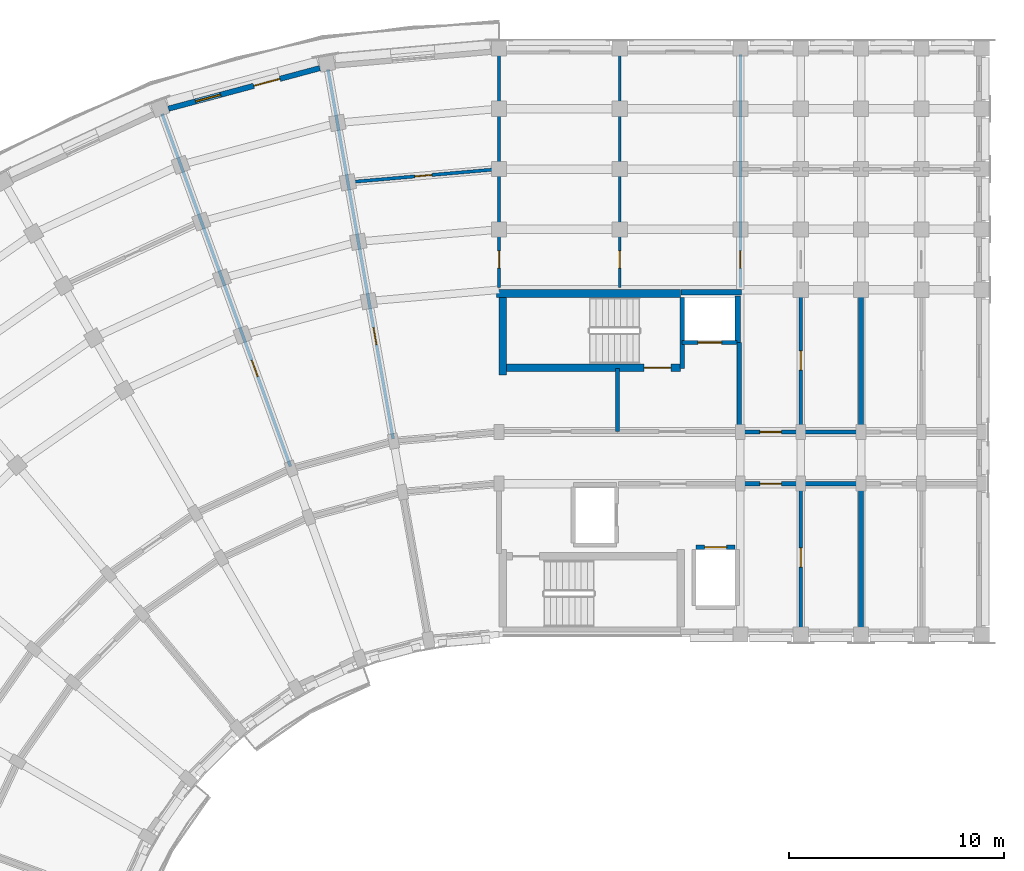
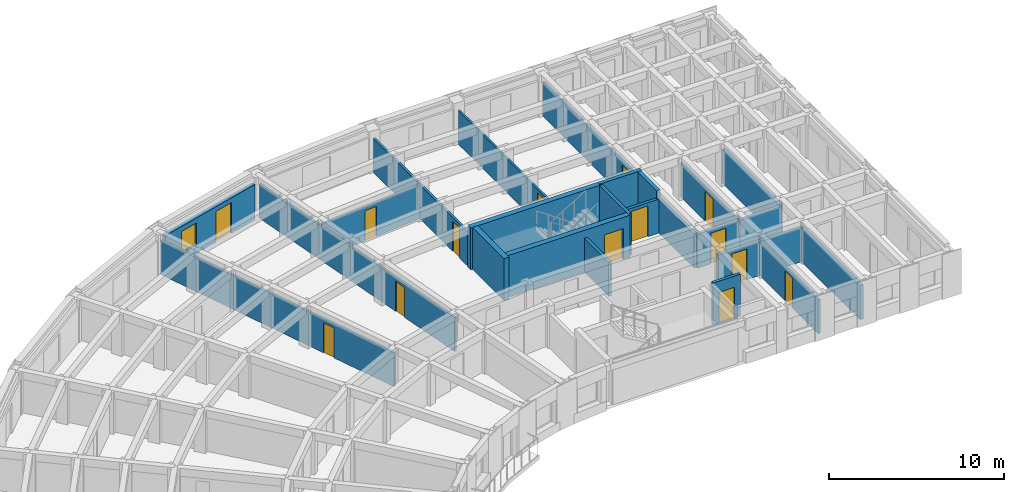
# One storey, part 28 of 57: 25 walls, 14 doors, 1 window, 15 openings.
"""IFC4 building model written with IfcOpenShell, lengths in metres."""

from ifc_helpers import new_model, si_unit, direction, frame, frame_2d, origin, place, context, subcontext, project, spatial, rectangle, extrude, material, layer, layer_set, type_object, element, fill, save


model = new_model("IFC4")

# Units and contexts
model_context = context("Model", 3, precision=1e-05, world=origin(), true_north=direction((0.0, 1.0)))
body_context = subcontext(model_context, "Body", "Model", "MODEL_VIEW")
ifc_project = project(units=[si_unit("LENGTHUNIT", "METRE"), si_unit("AREAUNIT", "SQUARE_METRE"), si_unit("VOLUMEUNIT", "CUBIC_METRE"), si_unit("PLANEANGLEUNIT", "RADIAN"), si_unit("MASSUNIT", "GRAM", prefix="KILO")], contexts=[model_context])

# Site, building, storey
site_placement = place(None, origin())
site = spatial("IfcSite", under=ifc_project, at=site_placement, CompositionType="ELEMENT")
building_placement = place(site_placement, origin())
building = spatial("IfcBuilding", under=site, at=building_placement, Name="Kiranvali Square Residences", CompositionType="ELEMENT")
storey_placement = place(building_placement, frame((0.0, 0.0, 21.300048828125)))
storey = spatial("IfcBuildingStorey", under=building, at=storey_placement, Name="L06", CompositionType="ELEMENT", Elevation=21.300048828125)

# Wall, opening, door
ifc_material_1 = material(Name="Autoclaved aerated concrete blockwork masonry", Category="masonry")
ifc_layer_1 = layer(ifc_material_1, 0.199951171875)
ifc_layer_set_1 = layer_set([ifc_layer_1], Name="Autoclaved aerated concrete blockwork masonry")
wall_type_1 = type_object("IfcWallType", Name="WL-COR-200", PredefinedType="STANDARD", material=ifc_layer_set_1)
wall_1_placement = place(storey_placement, frame((59.39990234375, 113.60009765625, 0.0), z_axis=(0.0, 0.0, 1.0), x_axis=(1.0, 0.0, 0.0)))
wall_1 = element("IfcWall", 1, at=wall_1_placement, inside=storey, type_object=wall_type_1, Name="L06 architectural wall WL-L06-A-A1CI-0", PredefinedType="STANDARD", context=body_context, shape_type="SweptSolid", body=[
    extrude(rectangle(XDim=2.800048828125, YDim=0.199951171875, at=frame_2d((1.39990234375, 0.0))), origin(), (0.0, 0.0, 1.0), 2.3720703125),
])
opening_1_placement = place(wall_1_placement, frame((0.89990234375, 0.0, 0.0)))
opening_1 = element("IfcOpeningElement", 2, at=opening_1_placement, cuts=wall_1, Name="Opening FD-APT-60", PredefinedType="OPENING", context=body_context, shape_type="SweptSolid", body=[
    extrude(rectangle(XDim=1.0, YDim=2.14990234375, at=frame_2d((0.5, 1.074951171875))), frame((0.0, 0.10986328125, 0.0), z_axis=(0.0, -1.0, 0.0), x_axis=(1.0, 0.0, 0.0)), (0.0, 0.0, 1.0), 0.219970703125),
])
ifc_material_2 = material(Name="Fire-rated acoustic hardwood and mineral-core door assembly", Category="wood")
door_type_1 = type_object("IfcDoorType", Name="DR-APT-1000", OperationType="NOTDEFINED", PredefinedType="DOOR", material=ifc_material_2)
door_1_placement = place(opening_1_placement, origin())
door_1 = element("IfcDoor", 3, at=door_1_placement, inside=storey, type_object=door_type_1, Name="L06 door DR-L06-0407 (DR-APT-1000)", OperationType="SINGLE_SWING_LEFT", OverallHeight=2.14990234375, OverallWidth=1.0, PredefinedType="DOOR", context=body_context, shape_type="SweptSolid", body=[
    extrude(rectangle(XDim=1.0, YDim=2.14990234375, at=frame_2d((0.5, 1.074951171875))), frame((0.0, 0.02490234375, 0.0), z_axis=(0.0, -1.0, 0.0), x_axis=(1.0, 0.0, 0.0)), (0.0, 0.0, 1.0), 0.050048828125),
])
fill(opening_1, door_1)

wall_2_placement = place(storey_placement, frame((59.39990234375, 116.0, 0.0), z_axis=(0.0, 0.0, 1.0), x_axis=(1.0, 0.0, 0.0)))
wall_2 = element("IfcWall", 4, at=wall_2_placement, inside=storey, type_object=wall_type_1, Name="L06 architectural wall WL-L06-A-A1CO-0", PredefinedType="STANDARD", context=body_context, shape_type="SweptSolid", body=[
    extrude(rectangle(XDim=2.800048828125, YDim=0.199951171875, at=frame_2d((1.39990234375, 0.0))), origin(), (0.0, 0.0, 1.0), 2.3720703125),
])
opening_2_placement = place(wall_2_placement, frame((0.89990234375, 0.0, 0.0)))
opening_2 = element("IfcOpeningElement", 5, at=opening_2_placement, cuts=wall_2, Name="Opening FD-APT-60", PredefinedType="OPENING", context=body_context, shape_type="SweptSolid", body=[
    extrude(rectangle(XDim=1.0, YDim=2.14990234375, at=frame_2d((0.5, 1.074951171875))), frame((0.0, 0.10986328125, 0.0), z_axis=(0.0, -1.0, 0.0), x_axis=(1.0, 0.0, 0.0)), (0.0, 0.0, 1.0), 0.219970703125),
])
door_2_placement = place(opening_2_placement, origin())
door_2 = element("IfcDoor", 6, at=door_2_placement, inside=storey, type_object=door_type_1, Name="L06 door DR-L06-0409 (DR-APT-1000)", OperationType="SINGLE_SWING_LEFT", OverallHeight=2.14990234375, OverallWidth=1.0, PredefinedType="DOOR", context=body_context, shape_type="SweptSolid", body=[
    extrude(rectangle(XDim=1.0, YDim=2.14990234375, at=frame_2d((0.5, 1.074951171875))), frame((0.0, 0.02490234375, 0.0), z_axis=(0.0, -1.0, 0.0), x_axis=(1.0, 0.0, 0.0)), (0.0, 0.0, 1.0), 0.050048828125),
])
fill(opening_2, door_2)

# Walls
for number, where, z_axis, x_axis, name in (
    (7, (62.199951171875, 113.60009765625, 0.0), (0.0, 0.0, 1.0), (1.0, 0.0, 0.0), "L06 architectural wall WL-L06-A-A1CI-1"),
    (8, (62.199951171875, 116.0, 0.0), (0.0, 0.0, 1.0), (1.0, 0.0, 0.0), "L06 architectural wall WL-L06-A-A1CO-1"),
):
    element("IfcWall", number, at=place(storey_placement, frame(where, z_axis=z_axis, x_axis=x_axis)), inside=storey, type_object=wall_type_1, Name=name, PredefinedType="STANDARD", context=body_context, shape_type="SweptSolid", body=[
        extrude(rectangle(XDim=2.800048828125, YDim=0.199951171875, at=frame_2d((1.39990234375, 0.0))), origin(), (0.0, 0.0, 1.0), 2.3720703125),
    ])
ifc_layer_2 = layer(ifc_material_1, 0.219970703125)
ifc_layer_set_2 = layer_set([ifc_layer_2], Name="Autoclaved aerated concrete blockwork masonry")
wall_type_2 = type_object("IfcWallType", Name="WL-DEM-220", PredefinedType="STANDARD", material=ifc_layer_set_2)
wall_3_placement = place(storey_placement, frame((65.0, 106.800048828125, 0.0), z_axis=(0.0, 0.0, 1.0), x_axis=(0.0, 1.0, 0.0)))
element("IfcWall", 9, at=wall_3_placement, inside=storey, type_object=wall_type_2, Name="L06 architectural wall WL-L06-A-A1TI-2", PredefinedType="STANDARD", context=body_context, shape_type="SweptSolid", body=[
    extrude(rectangle(XDim=6.75, YDim=0.219970703125, at=frame_2d((3.375, 0.0))), origin(), (0.0, 0.0, 1.0), 2.3720703125),
])
wall_4_placement = place(storey_placement, frame((65.0, 116.050048828125, 0.0), z_axis=(0.0, 0.0, 1.0), x_axis=(0.0, 1.0, 0.0)))
element("IfcWall", 10, at=wall_4_placement, inside=storey, type_object=wall_type_2, Name="L06 architectural wall WL-L06-A-A1TO1-2", PredefinedType="STANDARD", context=body_context, shape_type="SweptSolid", body=[
    extrude(rectangle(XDim=6.530029296875, YDim=0.219970703125, at=frame_2d((3.26513671875, 0.0))), origin(), (0.0, 0.0, 1.0), 2.3720703125),
])

# Wall, openings, door, window
ifc_material_3 = material(Name="Breathable lime-rendered clay brick masonry", Category="masonry")
ifc_layer_3 = layer(ifc_material_3, 0.25)
ifc_layer_set_3 = layer_set([ifc_layer_3], Name="Breathable lime-rendered clay brick masonry")
wall_type_3 = type_object("IfcWallType", Name="WL-EXT-250", PredefinedType="STANDARD", material=ifc_layer_set_3)
wall_5_placement = place(storey_placement, frame((39.881591796875, 132.883056640625, 0.0), z_axis=(0.0, 0.0, 1.0), x_axis=(-0.965930355787, -0.258802140196, 0.0)))
wall_5 = element("IfcWall", 11, at=wall_5_placement, inside=storey, type_object=wall_type_3, Name="L06 exterior wall A-L06-CRV-01", PredefinedType="STANDARD", context=body_context, shape_type="SweptSolid", body=[
    extrude(rectangle(XDim=7.2666015625, YDim=0.25, at=frame_2d((3.63330078125, 0.0))), origin(), (0.0, 0.0, 1.0), 2.471923828125),
])
opening_3_placement = place(wall_5_placement, frame((4.765625, 0.0, 0.6220703125)))
opening_3 = element("IfcOpeningElement", 12, at=opening_3_placement, cuts=wall_5, Name="Opening W-06", PredefinedType="OPENING", context=body_context, shape_type="SweptSolid", body=[
    extrude(rectangle(XDim=1.199951171875, YDim=1.5, at=frame_2d((0.60009765625, 0.75))), frame((0.0, 0.135009765625, 0.0), z_axis=(0.0, -1.0, 0.0), x_axis=(1.0, 0.0, 0.0)), (0.0, 0.0, 1.0), 0.27001953125),
])
opening_4_placement = place(wall_5_placement, frame((1.913330078125, 0.0, 0.0)))
opening_4 = element("IfcOpeningElement", 13, at=opening_4_placement, cuts=wall_5, Name="Opening ED-BAL-2", PredefinedType="OPENING", context=body_context, shape_type="SweptSolid", body=[
    extrude(rectangle(XDim=1.260009765625, YDim=2.14990234375, at=frame_2d((0.6298828125, 1.074951171875))), frame((0.0, 0.135009765625, 0.0), z_axis=(0.0, -1.0, 0.0), x_axis=(1.0, 0.0, 0.0)), (0.0, 0.0, 1.0), 0.27001953125),
])
ifc_material_4 = material(Name="Anodised bronze aluminium framing", Category="aluminium")
door_type_2 = type_object("IfcDoorType", Name="DR-BAL-1260", OperationType="NOTDEFINED", PredefinedType="DOOR", material=ifc_material_4)
door_3_placement = place(opening_4_placement, frame((1.260009765625, 0.0, 0.0), z_axis=(0.0, 0.0, 1.0), x_axis=(-1.0, 0.0, 0.0)))
door_3 = element("IfcDoor", 14, at=door_3_placement, inside=storey, type_object=door_type_2, Name="L06 balcony terrace door", OperationType="SINGLE_SWING_LEFT", OverallHeight=2.14990234375, OverallWidth=1.260009765625, PredefinedType="DOOR", context=body_context, shape_type="SweptSolid", body=[
    extrude(rectangle(XDim=1.260009765625, YDim=2.14990234375, at=frame_2d((0.6298828125, 1.074951171875))), frame((0.0, 0.02490234375, 0.0), z_axis=(0.0, -1.0, 0.0), x_axis=(1.0, 0.0, 0.0)), (0.0, 0.0, 1.0), 0.050048828125),
])
fill(opening_4, door_3)
ifc_material_5 = material(Name="Solar-control low-e double glazing", Category="glass")
window_type = type_object("IfcWindowType", Name="WIN-RES-1200x1500", PartitioningType="SINGLE_PANEL", PredefinedType="WINDOW", material=ifc_material_5)
window_placement = place(opening_3_placement, origin())
window = element("IfcWindow", 15, at=window_placement, inside=storey, type_object=window_type, Name="L06 recessed window A-L06-CRV-01", OverallHeight=1.5, OverallWidth=1.199951171875, PartitioningType="SINGLE_PANEL", PredefinedType="WINDOW", context=body_context, shape_type="SweptSolid", body=[
    extrude(rectangle(XDim=1.199951171875, YDim=1.5, at=frame_2d((0.60009765625, 0.75))), frame((0.0, 0.030029296875, 0.0), z_axis=(0.0, -1.0, 0.0), x_axis=(1.0, 0.0, 0.0)), (0.0, 0.0, 1.0), 0.06005859375),
])
fill(opening_3, window)

# Walls
ifc_layer_4 = layer(ifc_material_1, 0.199951171875)
ifc_layer_set_4 = layer_set([ifc_layer_4], Name="Autoclaved aerated concrete blockwork masonry")
wall_type_4 = type_object("IfcWallType", Name="WL-FFL-200", PredefinedType="STANDARD", material=ifc_layer_set_4)
wall_6_placement = place(storey_placement, frame((53.699951171875, 116.02001953125, 0.0), z_axis=(0.0, 0.0, 1.0), x_axis=(0.0, 1.0, 0.0)))
element("IfcWall", 16, at=wall_6_placement, inside=storey, type_object=wall_type_4, Name="L06 architectural wall WL-L06-A-FF-DIV", PredefinedType="STANDARD", context=body_context, shape_type="SweptSolid", body=[
    extrude(rectangle(XDim=2.929931640625, YDim=0.199951171875, at=frame_2d((1.46484375, 0.0))), origin(), (0.0, 0.0, 1.0), 2.3720703125),
])
wall_7_placement = place(storey_placement, frame((59.35009765625, 116.02001953125, 0.0), z_axis=(0.0, 0.0, 1.0), x_axis=(0.0, 1.0, 0.0)))
element("IfcWall", 17, at=wall_7_placement, inside=storey, type_object=wall_type_4, Name="L06 architectural wall WL-L06-A-FF-END", PredefinedType="STANDARD", context=body_context, shape_type="SweptSolid", body=[
    extrude(rectangle(XDim=4.1298828125, YDim=0.199951171875, at=frame_2d((2.06494140625, 0.0))), origin(), (0.0, 0.0, 1.0), 2.3720703125),
])

# Wall, opening, door
wall_8_placement = place(storey_placement, frame((56.699951171875, 120.14990234375, 0.0), z_axis=(0.0, 0.0, 1.0), x_axis=(1.0, 0.0, 0.0)))
wall_8 = element("IfcWall", 18, at=wall_8_placement, inside=storey, type_object=wall_type_4, Name="L06 architectural wall WL-L06-A-FF-LFT", PredefinedType="STANDARD", context=body_context, shape_type="SweptSolid", body=[
    extrude(rectangle(XDim=2.550048828125, YDim=0.199951171875, at=frame_2d((1.27490234375, 0.0))), origin(), (0.0, 0.0, 1.0), 2.3720703125),
])
opening_5_placement = place(wall_8_placement, frame((0.72509765625, 0.0, 0.0)))
opening_5 = element("IfcOpeningElement", 19, at=opening_5_placement, cuts=wall_8, Name="Opening LD-FF-110", PredefinedType="OPENING", context=body_context, shape_type="SweptSolid", body=[
    extrude(rectangle(XDim=1.10009765625, YDim=2.14990234375, at=frame_2d((0.550048828125, 1.074951171875))), frame((0.0, 0.10986328125, 0.0), z_axis=(0.0, -1.0, 0.0), x_axis=(1.0, 0.0, 0.0)), (0.0, 0.0, 1.0), 0.219970703125),
])
door_type_3 = type_object("IfcDoorType", Name="DR-LIFT-FF-1100", OperationType="SLIDING_TO_LEFT", PredefinedType="DOOR", material=ifc_material_2)
door_4_placement = place(opening_5_placement, origin())
door_4 = element("IfcDoor", 20, at=door_4_placement, inside=storey, type_object=door_type_3, Name="L06 door DR-L06-0397 (DR-LIFT-FF-1100)", OperationType="SLIDING_TO_LEFT", OverallHeight=2.14990234375, OverallWidth=1.10009765625, PredefinedType="DOOR", context=body_context, shape_type="SweptSolid", body=[
    extrude(rectangle(XDim=1.10009765625, YDim=2.14990234375, at=frame_2d((0.550048828125, 1.074951171875))), frame((0.0, 0.02490234375, 0.0), z_axis=(0.0, -1.0, 0.0), x_axis=(1.0, 0.0, 0.0)), (0.0, 0.0, 1.0), 0.050048828125),
])
fill(opening_5, door_4)

ifc_material_6 = material(Name="Acoustic gypsum board drylined partition", Category="gypsum")
ifc_layer_5 = layer(ifc_material_6, 0.125)
ifc_layer_set_5 = layer_set([ifc_layer_5], Name="Acoustic gypsum board drylined partition")
wall_type_5 = type_object("IfcWallType", Name="WL-PRT-125", PredefinedType="PARTITIONING", material=ifc_layer_set_5)
wall_9_placement = place(storey_placement, frame((53.800048828125, 122.699951171875, 0.0), z_axis=(0.0, 0.0, 1.0), x_axis=(0.0, 1.0, 0.0)))
wall_9 = element("IfcWall", 21, at=wall_9_placement, inside=storey, type_object=wall_type_5, Name="L06 architectural wall WL-L06-A-CF-MID", PredefinedType="PARTITIONING", context=body_context, shape_type="SweptSolid", body=[
    extrude(rectangle(XDim=10.820068359375, YDim=0.125, at=frame_2d((5.41015625, 0.0))), origin(), (0.0, 0.0, 1.0), 2.3720703125),
])
opening_6_placement = place(wall_9_placement, frame((0.8994140625, 0.0, 0.0)))
opening_6 = element("IfcOpeningElement", 22, at=opening_6_placement, cuts=wall_9, Name="Opening ID-WET", PredefinedType="OPENING", context=body_context, shape_type="SweptSolid", body=[
    extrude(rectangle(XDim=0.800048828125, YDim=2.10009765625, at=frame_2d((0.39990234375, 1.050048828125))), frame((0.0, 0.072509765625, 0.0), z_axis=(0.0, -1.0, 0.0), x_axis=(1.0, 0.0, 0.0)), (0.0, 0.0, 1.0), 0.14501953125),
])
ifc_material_7 = material(Name="Solid seasoned teak hardwood joinery", Category="wood")
door_type_4 = type_object("IfcDoorType", Name="DR-WET-800", OperationType="NOTDEFINED", PredefinedType="DOOR", material=ifc_material_7)
door_5_placement = place(opening_6_placement, frame((0.800048828125, 0.0, 0.0), z_axis=(0.0, 0.0, 1.0), x_axis=(-1.0, 0.0, 0.0)))
door_5 = element("IfcDoor", 23, at=door_5_placement, inside=storey, type_object=door_type_4, Name="L06 door DR-L06-0406 (DR-WET-800)", OperationType="SINGLE_SWING_RIGHT", OverallHeight=2.10009765625, OverallWidth=0.800048828125, PredefinedType="DOOR", context=body_context, shape_type="SweptSolid", body=[
    extrude(rectangle(XDim=0.800048828125, YDim=2.10009765625, at=frame_2d((0.39990234375, 1.050048828125))), frame((0.0, 0.02490234375, 0.0), z_axis=(0.0, -1.0, 0.0), x_axis=(1.0, 0.0, 0.0)), (0.0, 0.0, 1.0), 0.050048828125),
])
fill(opening_6, door_5)

ifc_layer_6 = layer(ifc_material_6, 0.14990234375)
ifc_layer_set_6 = layer_set([ifc_layer_6], Name="Acoustic gypsum board drylined partition")
wall_type_6 = type_object("IfcWallType", Name="WL-PRT-150", PredefinedType="PARTITIONING", material=ifc_layer_set_6)
wall_10_placement = place(storey_placement, frame((59.39990234375, 122.699951171875, 0.0), z_axis=(0.0, 0.0, 1.0), x_axis=(0.0, 1.0, 0.0)))
wall_10 = element("IfcWall", 24, at=wall_10_placement, inside=storey, type_object=wall_type_6, Name="L06 architectural wall WL-L06-A-A1TO2-0", PredefinedType="PARTITIONING", context=body_context, shape_type="SweptSolid", body=[
    extrude(rectangle(XDim=10.820068359375, YDim=0.14990234375, at=frame_2d((5.41015625, 0.0))), origin(), (0.0, 0.0, 1.0), 2.3720703125),
])
opening_7_placement = place(wall_10_placement, frame((0.8994140625, 0.0, 0.0)))
opening_7 = element("IfcOpeningElement", 25, at=opening_7_placement, cuts=wall_10, Name="Opening ID-WET", PredefinedType="OPENING", context=body_context, shape_type="SweptSolid", body=[
    extrude(rectangle(XDim=0.800048828125, YDim=2.10009765625, at=frame_2d((0.39990234375, 1.050048828125))), frame((0.0, 0.0849609375, 0.0), z_axis=(0.0, -1.0, 0.0), x_axis=(1.0, 0.0, 0.0)), (0.0, 0.0, 1.0), 0.169921875),
])
door_6_placement = place(opening_7_placement, origin())
door_6 = element("IfcDoor", 26, at=door_6_placement, inside=storey, type_object=door_type_4, Name="L06 door DR-L06-0415 (DR-WET-800)", OperationType="SINGLE_SWING_LEFT", OverallHeight=2.10009765625, OverallWidth=0.800048828125, PredefinedType="DOOR", context=body_context, shape_type="SweptSolid", body=[
    extrude(rectangle(XDim=0.800048828125, YDim=2.10009765625, at=frame_2d((0.39990234375, 1.050048828125))), frame((0.0, 0.02490234375, 0.0), z_axis=(0.0, -1.0, 0.0), x_axis=(1.0, 0.0, 0.0)), (0.0, 0.0, 1.0), 0.050048828125),
])
fill(opening_7, door_6)

wall_11_placement = place(storey_placement, frame((62.199951171875, 106.800048828125, 0.0), z_axis=(0.0, 0.0, 1.0), x_axis=(0.0, 1.0, 0.0)))
wall_11 = element("IfcWall", 27, at=wall_11_placement, inside=storey, type_object=wall_type_6, Name="L06 architectural wall WL-L06-A-A1TI-1", PredefinedType="PARTITIONING", context=body_context, shape_type="SweptSolid", body=[
    extrude(rectangle(XDim=6.75, YDim=0.14990234375, at=frame_2d((3.375, 0.0))), origin(), (0.0, 0.0, 1.0), 2.3720703125),
])
opening_8_placement = place(wall_11_placement, frame((2.925048828125, 0.0, 0.0)))
opening_8 = element("IfcOpeningElement", 28, at=opening_8_placement, cuts=wall_11, Name="Opening ID-1", PredefinedType="OPENING", context=body_context, shape_type="SweptSolid", body=[
    extrude(rectangle(XDim=0.89990234375, YDim=2.10009765625, at=frame_2d((0.449951171875, 1.050048828125))), frame((0.0, 0.0849609375, 0.0), z_axis=(0.0, -1.0, 0.0), x_axis=(1.0, 0.0, 0.0)), (0.0, 0.0, 1.0), 0.169921875),
])
door_type_5 = type_object("IfcDoorType", Name="DR-INT-900", OperationType="NOTDEFINED", PredefinedType="DOOR", material=ifc_material_7)
door_7_placement = place(opening_8_placement, frame((0.89990234375, 0.0, 0.0), z_axis=(0.0, 0.0, 1.0), x_axis=(-1.0, 0.0, 0.0)))
door_7 = element("IfcDoor", 29, at=door_7_placement, inside=storey, type_object=door_type_5, Name="L06 door DR-L06-0416 (DR-INT-900)", OperationType="SINGLE_SWING_RIGHT", OverallHeight=2.10009765625, OverallWidth=0.89990234375, PredefinedType="DOOR", context=body_context, shape_type="SweptSolid", body=[
    extrude(rectangle(XDim=0.89990234375, YDim=2.10009765625, at=frame_2d((0.449951171875, 1.050048828125))), frame((0.0, 0.02490234375, 0.0), z_axis=(0.0, -1.0, 0.0), x_axis=(1.0, 0.0, 0.0)), (0.0, 0.0, 1.0), 0.050048828125),
])
fill(opening_8, door_7)

wall_12_placement = place(storey_placement, frame((62.199951171875, 116.050048828125, 0.0), z_axis=(0.0, 0.0, 1.0), x_axis=(0.0, 1.0, 0.0)))
wall_12 = element("IfcWall", 30, at=wall_12_placement, inside=storey, type_object=wall_type_6, Name="L06 architectural wall WL-L06-A-A1TO1-1", PredefinedType="PARTITIONING", context=body_context, shape_type="SweptSolid", body=[
    extrude(rectangle(XDim=6.530029296875, YDim=0.14990234375, at=frame_2d((3.26513671875, 0.0))), origin(), (0.0, 0.0, 1.0), 2.3720703125),
])
opening_9_placement = place(wall_12_placement, frame((2.81494140625, 0.0, 0.0)))
opening_9 = element("IfcOpeningElement", 31, at=opening_9_placement, cuts=wall_12, Name="Opening ID-1", PredefinedType="OPENING", context=body_context, shape_type="SweptSolid", body=[
    extrude(rectangle(XDim=0.89990234375, YDim=2.10009765625, at=frame_2d((0.449951171875, 1.050048828125))), frame((0.0, 0.0849609375, 0.0), z_axis=(0.0, -1.0, 0.0), x_axis=(1.0, 0.0, 0.0)), (0.0, 0.0, 1.0), 0.169921875),
])
door_8_placement = place(opening_9_placement, origin())
door_8 = element("IfcDoor", 32, at=door_8_placement, inside=storey, type_object=door_type_5, Name="L06 door DR-L06-0417 (DR-INT-900)", OperationType="SINGLE_SWING_LEFT", OverallHeight=2.10009765625, OverallWidth=0.89990234375, PredefinedType="DOOR", context=body_context, shape_type="SweptSolid", body=[
    extrude(rectangle(XDim=0.89990234375, YDim=2.10009765625, at=frame_2d((0.449951171875, 1.050048828125))), frame((0.0, 0.02490234375, 0.0), z_axis=(0.0, -1.0, 0.0), x_axis=(1.0, 0.0, 0.0)), (0.0, 0.0, 1.0), 0.050048828125),
])
fill(opening_9, door_8)

wall_13_placement = place(storey_placement, frame((48.199951171875, 122.699951171875, 0.0), z_axis=(0.0, 0.0, 1.0), x_axis=(0.0, 1.0, 0.0)))
wall_13 = element("IfcWall", 33, at=wall_13_placement, inside=storey, type_object=wall_type_6, Name="L06 architectural wall WL-L06-A-RADO-0", PredefinedType="PARTITIONING", context=body_context, shape_type="SweptSolid", body=[
    extrude(rectangle(XDim=10.820068359375, YDim=0.14990234375, at=frame_2d((5.41015625, 0.0))), origin(), (0.0, 0.0, 1.0), 2.3720703125),
])
opening_10_placement = place(wall_13_placement, frame((0.8994140625, 0.0, 0.0)))
opening_10 = element("IfcOpeningElement", 34, at=opening_10_placement, cuts=wall_13, Name="Opening ID-WET", PredefinedType="OPENING", context=body_context, shape_type="SweptSolid", body=[
    extrude(rectangle(XDim=0.800048828125, YDim=2.10009765625, at=frame_2d((0.39990234375, 1.050048828125))), frame((0.0, 0.0849609375, 0.0), z_axis=(0.0, -1.0, 0.0), x_axis=(1.0, 0.0, 0.0)), (0.0, 0.0, 1.0), 0.169921875),
])
door_9_placement = place(opening_10_placement, frame((0.800048828125, 0.0, 0.0), z_axis=(0.0, 0.0, 1.0), x_axis=(-1.0, 0.0, 0.0)))
door_9 = element("IfcDoor", 35, at=door_9_placement, inside=storey, type_object=door_type_4, Name="L06 door DR-L06-0422 (DR-WET-800)", OperationType="SINGLE_SWING_RIGHT", OverallHeight=2.10009765625, OverallWidth=0.800048828125, PredefinedType="DOOR", context=body_context, shape_type="SweptSolid", body=[
    extrude(rectangle(XDim=0.800048828125, YDim=2.10009765625, at=frame_2d((0.39990234375, 1.050048828125))), frame((0.0, 0.02490234375, 0.0), z_axis=(0.0, -1.0, 0.0), x_axis=(1.0, 0.0, 0.0)), (0.0, 0.0, 1.0), 0.050048828125),
])
fill(opening_10, door_9)

wall_14_placement = place(storey_placement, frame((43.28564453125, 115.670166015625, 0.0), z_axis=(0.0, 0.0, 1.0), x_axis=(-0.173646216546, 0.984808098809, 0.0)))
wall_14 = element("IfcWall", 36, at=wall_14_placement, inside=storey, type_object=wall_type_6, Name="L06 architectural wall WL-L06-A-RADO-1", PredefinedType="PARTITIONING", context=body_context, shape_type="SweptSolid", body=[
    extrude(rectangle(XDim=17.419921875, YDim=0.14990234375, at=frame_2d((8.7099609375, 0.0))), origin(), (0.0, 0.0, 1.0), 2.3720703125),
])
opening_11_placement = place(wall_14_placement, frame((4.44970703125, 0.0, 0.0)))
opening_11 = element("IfcOpeningElement", 37, at=opening_11_placement, cuts=wall_14, Name="Opening ID-WET", PredefinedType="OPENING", context=body_context, shape_type="SweptSolid", body=[
    extrude(rectangle(XDim=0.800048828125, YDim=2.10009765625, at=frame_2d((0.39990234375, 1.050048828125))), frame((0.0, 0.0849609375, 0.0), z_axis=(0.0, -1.0, 0.0), x_axis=(1.0, 0.0, 0.0)), (0.0, 0.0, 1.0), 0.169921875),
])
door_10_placement = place(opening_11_placement, origin())
door_10 = element("IfcDoor", 38, at=door_10_placement, inside=storey, type_object=door_type_4, Name="L06 door DR-L06-0423 (DR-WET-800)", OperationType="SINGLE_SWING_LEFT", OverallHeight=2.10009765625, OverallWidth=0.800048828125, PredefinedType="DOOR", context=body_context, shape_type="SweptSolid", body=[
    extrude(rectangle(XDim=0.800048828125, YDim=2.10009765625, at=frame_2d((0.39990234375, 1.050048828125))), frame((0.0, 0.02490234375, 0.0), z_axis=(0.0, -1.0, 0.0), x_axis=(1.0, 0.0, 0.0)), (0.0, 0.0, 1.0), 0.050048828125),
])
fill(opening_11, door_10)

wall_15_placement = place(storey_placement, frame((38.520751953125, 114.393310546875, 0.0), z_axis=(0.0, 0.0, 1.0), x_axis=(-0.342022120477, 0.939691901159, 0.0)))
wall_15 = element("IfcWall", 39, at=wall_15_placement, inside=storey, type_object=wall_type_6, Name="L06 architectural wall WL-L06-A-RADO-2", PredefinedType="PARTITIONING", context=body_context, shape_type="SweptSolid", body=[
    extrude(rectangle(XDim=17.419921875, YDim=0.14990234375, at=frame_2d((8.7099609375, 0.0))), origin(), (0.0, 0.0, 1.0), 2.3720703125),
])
opening_12_placement = place(wall_15_placement, frame((4.44970703125, 0.0, 0.0)))
opening_12 = element("IfcOpeningElement", 40, at=opening_12_placement, cuts=wall_15, Name="Opening ID-WET", PredefinedType="OPENING", context=body_context, shape_type="SweptSolid", body=[
    extrude(rectangle(XDim=0.800048828125, YDim=2.10009765625, at=frame_2d((0.39990234375, 1.050048828125))), frame((0.0, 0.0849609375, 0.0), z_axis=(0.0, -1.0, 0.0), x_axis=(1.0, 0.0, 0.0)), (0.0, 0.0, 1.0), 0.169921875),
])
door_11_placement = place(opening_12_placement, frame((0.800048828125, 0.0, 0.0), z_axis=(0.0, 0.0, 1.0), x_axis=(-1.0, 0.0, 0.0)))
door_11 = element("IfcDoor", 41, at=door_11_placement, inside=storey, type_object=door_type_4, Name="L06 door DR-L06-0424 (DR-WET-800)", OperationType="SINGLE_SWING_RIGHT", OverallHeight=2.10009765625, OverallWidth=0.800048828125, PredefinedType="DOOR", context=body_context, shape_type="SweptSolid", body=[
    extrude(rectangle(XDim=0.800048828125, YDim=2.10009765625, at=frame_2d((0.39990234375, 1.050048828125))), frame((0.0, 0.02490234375, 0.0), z_axis=(0.0, -1.0, 0.0), x_axis=(1.0, 0.0, 0.0)), (0.0, 0.0, 1.0), 0.050048828125),
])
fill(opening_12, door_11)

# Wall
ifc_layer_7 = layer(ifc_material_1, 0.199951171875)
ifc_layer_set_7 = layer_set([ifc_layer_7], Name="Autoclaved aerated concrete blockwork masonry")
wall_type_7 = type_object("IfcWallType", Name="WL-SHF-200", PredefinedType="STANDARD", material=ifc_layer_set_7)
wall_16_placement = place(storey_placement, frame((56.699951171875, 118.949951171875, 0.0), z_axis=(0.0, 0.0, 1.0), x_axis=(0.0, 1.0, 0.0)))
element("IfcWall", 42, at=wall_16_placement, inside=storey, type_object=wall_type_7, Name="L06 architectural wall WL-L06-A-FF-SHF", PredefinedType="STANDARD", context=body_context, shape_type="SweptSolid", body=[
    extrude(rectangle(XDim=3.300048828125, YDim=0.199951171875, at=frame_2d((1.64990234375, 0.0))), origin(), (0.0, 0.0, 1.0), 2.929931640625),
])

# Wall, opening, door
wall_17_placement = place(storey_placement, frame((57.35009765625, 110.64990234375, 0.0), z_axis=(0.0, 0.0, 1.0), x_axis=(1.0, 0.0, 0.0)))
wall_17 = element("IfcWall", 43, at=wall_17_placement, inside=storey, type_object=wall_type_7, Name="L06 architectural wall WL-L06-A-LP1-F", PredefinedType="STANDARD", context=body_context, shape_type="SweptSolid", body=[
    extrude(rectangle(XDim=1.7998046875, YDim=0.199951171875, at=frame_2d((0.89990234375, 0.0))), origin(), (0.0, 0.0, 1.0), 2.929931640625),
])
opening_13_placement = place(wall_17_placement, frame((0.389892578125, 0.0, 0.0)))
opening_13 = element("IfcOpeningElement", 44, at=opening_13_placement, cuts=wall_17, Name="Opening LD-PAX-100", PredefinedType="OPENING", context=body_context, shape_type="SweptSolid", body=[
    extrude(rectangle(XDim=1.02001953125, YDim=2.14990234375, at=frame_2d((0.510009765625, 1.074951171875))), frame((0.0, 0.10986328125, 0.0), z_axis=(0.0, -1.0, 0.0), x_axis=(1.0, 0.0, 0.0)), (0.0, 0.0, 1.0), 0.219970703125),
])
door_type_6 = type_object("IfcDoorType", Name="DR-LIFT-1000", OperationType="SLIDING_TO_RIGHT", PredefinedType="DOOR", material=ifc_material_2)
door_12_placement = place(opening_13_placement, origin())
door_12 = element("IfcDoor", 45, at=door_12_placement, inside=storey, type_object=door_type_6, Name="L06 door DR-L06-0401 (DR-LIFT-1000)", OperationType="SLIDING_TO_RIGHT", OverallHeight=2.14990234375, OverallWidth=1.02001953125, PredefinedType="DOOR", context=body_context, shape_type="SweptSolid", body=[
    extrude(rectangle(XDim=1.02001953125, YDim=2.14990234375, at=frame_2d((0.510009765625, 1.074951171875))), frame((0.0, 0.02490234375, 0.0), z_axis=(0.0, -1.0, 0.0), x_axis=(1.0, 0.0, 0.0)), (0.0, 0.0, 1.0), 0.050048828125),
])
fill(opening_13, door_12)

# Walls
ifc_material_8 = material(Name="Concrete M45 (45 MPa)", Category="concrete")
ifc_layer_8 = layer(ifc_material_8, 0.25)
ifc_layer_set_8 = layer_set([ifc_layer_8], Name="Concrete M45 (45 MPa)")
wall_type_8 = type_object("IfcWallType", Name="WL-SHR-250", PredefinedType="SHEAR", material=ifc_layer_set_8)
wall_18_placement = place(storey_placement, frame((56.64990234375, 122.47509765625, 0.0), z_axis=(0.0, 0.0, 1.0), x_axis=(1.0, 0.0, 0.0)))
element("IfcWall", 46, at=wall_18_placement, inside=storey, type_object=wall_type_8, Name="Block A core shear wall SW-AFF-BK-L06", PredefinedType="SHEAR", context=body_context, shape_type="SweptSolid", body=[
    extrude(rectangle(XDim=2.800048828125, YDim=0.25, at=frame_2d((1.39990234375, 0.0))), origin(), (0.0, 0.0, 1.0), 2.929931640625),
])
wall_19_placement = place(storey_placement, frame((59.27490234375, 120.14990234375, 0.0), z_axis=(0.0, 0.0, 1.0), x_axis=(0.0, 1.0, 0.0)))
element("IfcWall", 47, at=wall_19_placement, inside=storey, type_object=wall_type_8, Name="Block A core shear wall SW-AFF-SD-L06", PredefinedType="SHEAR", context=body_context, shape_type="SweptSolid", body=[
    extrude(rectangle(XDim=2.150146484375, YDim=0.25, at=frame_2d((1.0751953125, 0.0))), origin(), (0.0, 0.0, 1.0), 2.929931640625),
])
ifc_layer_9 = layer(ifc_material_8, 0.320068359375)
ifc_layer_set_9 = layer_set([ifc_layer_9], Name="Concrete M45 (45 MPa)")
wall_type_9 = type_object("IfcWallType", Name="WL-SHR-320", PredefinedType="SHEAR", material=ifc_layer_set_9)
wall_20_placement = place(storey_placement, frame((48.080078125, 122.425048828125, 0.0), z_axis=(0.0, 0.0, 1.0), x_axis=(1.0, 0.0, 0.0)))
element("IfcWall", 48, at=wall_20_placement, inside=storey, type_object=wall_type_9, Name="Block A core shear wall SW-A1-OUT-L06", PredefinedType="SHEAR", context=body_context, shape_type="SweptSolid", body=[
    extrude(rectangle(XDim=8.544921875, YDim=0.35009765625, at=frame_2d((4.2724609375, 0.0))), origin(), (0.0, 0.0, 1.0), 2.929931640625),
])

# Wall, opening, door
wall_21_placement = place(storey_placement, frame((48.550048828125, 118.97509765625, 0.0), z_axis=(0.0, 0.0, 1.0), x_axis=(1.0, 0.0, 0.0)))
wall_21 = element("IfcWall", 49, at=wall_21_placement, inside=storey, type_object=wall_type_9, Name="Block A core shear wall SW-A1-IN-L06", PredefinedType="SHEAR", context=body_context, shape_type="SweptSolid", body=[
    extrude(rectangle(XDim=8.074951171875, YDim=0.35009765625, at=frame_2d((4.03759765625, 0.0))), origin(), (0.0, 0.0, 1.0), 2.929931640625),
])
opening_14_placement = place(wall_21_placement, frame((6.3798828125, 0.0, 0.0)))
opening_14 = element("IfcOpeningElement", 50, at=opening_14_placement, cuts=wall_21, Name="Opening FD-ST-120", PredefinedType="OPENING", context=body_context, shape_type="SweptSolid", body=[
    extrude(rectangle(XDim=1.239990234375, YDim=2.14990234375, at=frame_2d((0.6201171875, 1.074951171875))), frame((0.0, 0.18505859375, 0.0), z_axis=(0.0, -1.0, 0.0), x_axis=(1.0, 0.0, 0.0)), (0.0, 0.0, 1.0), 0.3701171875),
])
door_type_7 = type_object("IfcDoorType", Name="DR-FD120-1200", OperationType="NOTDEFINED", PredefinedType="DOOR", material=ifc_material_2)
door_13_placement = place(opening_14_placement, origin())
door_13 = element("IfcDoor", 51, at=door_13_placement, inside=storey, type_object=door_type_7, Name="L06 door DR-L06-0398 (DR-FD120-1200)", OperationType="SINGLE_SWING_RIGHT", OverallHeight=2.14990234375, OverallWidth=1.239990234375, PredefinedType="DOOR", context=body_context, shape_type="SweptSolid", body=[
    extrude(rectangle(XDim=1.239990234375, YDim=2.14990234375, at=frame_2d((0.6201171875, 1.074951171875))), frame((0.0, 0.02490234375, 0.0), z_axis=(0.0, -1.0, 0.0), x_axis=(1.0, 0.0, 0.0)), (0.0, 0.0, 1.0), 0.050048828125),
])
fill(opening_14, door_13)

# Wall
wall_22_placement = place(storey_placement, frame((48.375, 118.64990234375, 0.0), z_axis=(0.0, 0.0, 1.0), x_axis=(0.0, 1.0, 0.0)))
element("IfcWall", 52, at=wall_22_placement, inside=storey, type_object=wall_type_9, Name="Block A core shear wall SW-A1-FAR-L06", PredefinedType="SHEAR", context=body_context, shape_type="SweptSolid", body=[
    extrude(rectangle(XDim=3.60009765625, YDim=0.35009765625, at=frame_2d((1.800048828125, 0.0))), origin(), (0.0, 0.0, 1.0), 2.929931640625),
])

# Wall, opening, door
ifc_layer_10 = layer(ifc_material_1, 0.14990234375)
ifc_layer_set_10 = layer_set([ifc_layer_10], Name="Autoclaved aerated concrete blockwork masonry")
wall_type_10 = type_object("IfcWallType", Name="WL-WET-150", PredefinedType="PLUMBINGWALL", material=ifc_layer_set_10)
wall_23_placement = place(storey_placement, frame((48.199951171875, 128.199951171875, 0.0), z_axis=(0.0, 0.0, 1.0), x_axis=(-0.996194658198, -0.087156198737, 0.0)))
wall_23 = element("IfcWall", 53, at=wall_23_placement, inside=storey, type_object=wall_type_10, Name="L06 architectural wall WL-L06-A-CWET-0", PredefinedType="PLUMBINGWALL", context=body_context, shape_type="SweptSolid", body=[
    extrude(rectangle(XDim=7.042236328125, YDim=0.14990234375, at=frame_2d((3.52099609375, 0.0))), origin(), (0.0, 0.0, 1.0), 2.3720703125),
])
opening_15_placement = place(wall_23_placement, frame((3.12109375, 0.0, 0.0)))
opening_15 = element("IfcOpeningElement", 54, at=opening_15_placement, cuts=wall_23, Name="Opening ID-WET", PredefinedType="OPENING", context=body_context, shape_type="SweptSolid", body=[
    extrude(rectangle(XDim=0.800048828125, YDim=2.10009765625, at=frame_2d((0.39990234375, 1.050048828125))), frame((0.0, 0.0849609375, 0.0), z_axis=(0.0, -1.0, 0.0), x_axis=(1.0, 0.0, 0.0)), (0.0, 0.0, 1.0), 0.169921875),
])
door_14_placement = place(opening_15_placement, frame((0.800048828125, 0.0, 0.0), z_axis=(0.0, 0.0, 1.0), x_axis=(-1.0, 0.0, 0.0)))
door_14 = element("IfcDoor", 55, at=door_14_placement, inside=storey, type_object=door_type_4, Name="L06 door DR-L06-0428 (DR-WET-800)", OperationType="SINGLE_SWING_RIGHT", OverallHeight=2.10009765625, OverallWidth=0.800048828125, PredefinedType="DOOR", context=body_context, shape_type="SweptSolid", body=[
    extrude(rectangle(XDim=0.800048828125, YDim=2.10009765625, at=frame_2d((0.39990234375, 1.050048828125))), frame((0.0, 0.02490234375, 0.0), z_axis=(0.0, -1.0, 0.0), x_axis=(1.0, 0.0, 0.0)), (0.0, 0.0, 1.0), 0.050048828125),
])
fill(opening_15, door_14)

save(model, "model.ifc")
